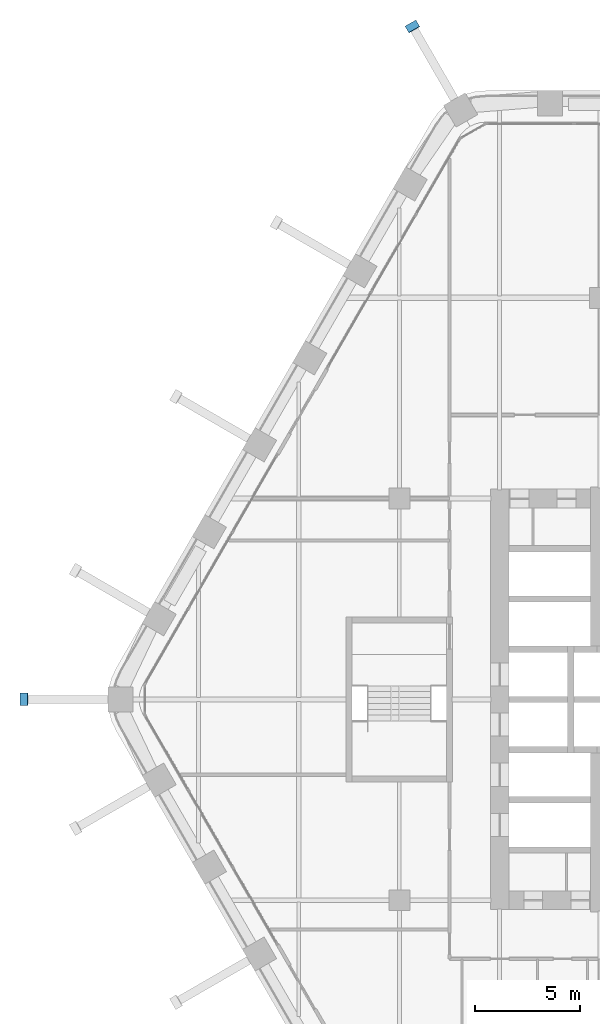
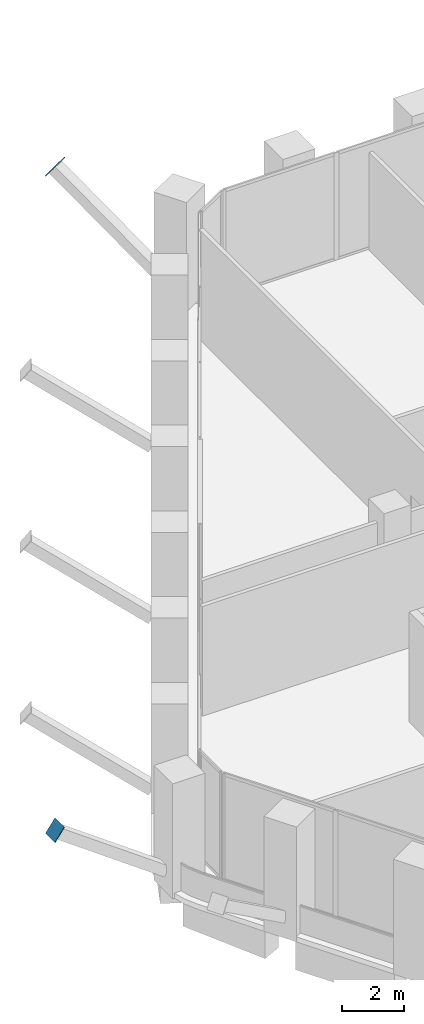
# One storey, part 24 of 27: 2 discrete accessories.
"""IFC4 building model written with IfcOpenShell, lengths in metres."""

from ifc_helpers import new_model, si_unit, direction, frame, origin, origin_2d, place, context, subcontext, project, spatial, rectangle, extrude, element, save


model = new_model("IFC4")

# Units and contexts
model_context = context("Model", 3, precision=1e-05, world=origin(), true_north=direction((0.0, 1.0)))
body_context = subcontext(model_context, "Body", "Model", "MODEL_VIEW")
ifc_project = project(units=[si_unit("LENGTHUNIT", "METRE"), si_unit("AREAUNIT", "SQUARE_METRE"), si_unit("VOLUMEUNIT", "CUBIC_METRE"), si_unit("PLANEANGLEUNIT", "RADIAN"), si_unit("MASSUNIT", "GRAM", prefix="KILO")], contexts=[model_context])

# Site, building, storey
site_placement = place(None, origin())
site = spatial("IfcSite", under=ifc_project, at=site_placement, CompositionType="ELEMENT")
building_placement = place(site_placement, origin())
building = spatial("IfcBuilding", under=site, at=building_placement, Name="Kolab Exchange Tower", CompositionType="ELEMENT")
storey_placement = place(building_placement, frame((0.0, 0.0, 118.39990234375)))
storey = spatial("IfcBuildingStorey", under=building, at=storey_placement, Name="L23", CompositionType="ELEMENT", Elevation=118.39990234375)

# Discrete accessories
for number, where, z_axis, x_axis, name in (
    (1, (-37.135986328125, 0.0, 3.51806640625), (-0.810421678379, 0.0, 0.585846996419), (0.0, -1.0, 0.0), "Gusset plate"),
    (2, (-18.56787109375, 32.16064453125, 3.51806640625), (-0.400787566766, 0.703822068467, 0.586518390389), (-0.868984891377, -0.494838618701, 0.0), "Gusset plate"),
):
    element("IfcDiscreteAccessory", number, at=place(storey_placement, frame(where, z_axis=z_axis, x_axis=x_axis)), inside=storey, Name=name, ObjectType="GUSSET PLATE", PredefinedType="USERDEFINED", context=body_context, shape_type="SweptSolid", body=[
        extrude(rectangle(XDim=0.60009765625, YDim=0.60009765625, at=origin_2d()), origin(), (0.0, 0.0, 1.0), 0.02490234375),
    ])

save(model, "model.ifc")
